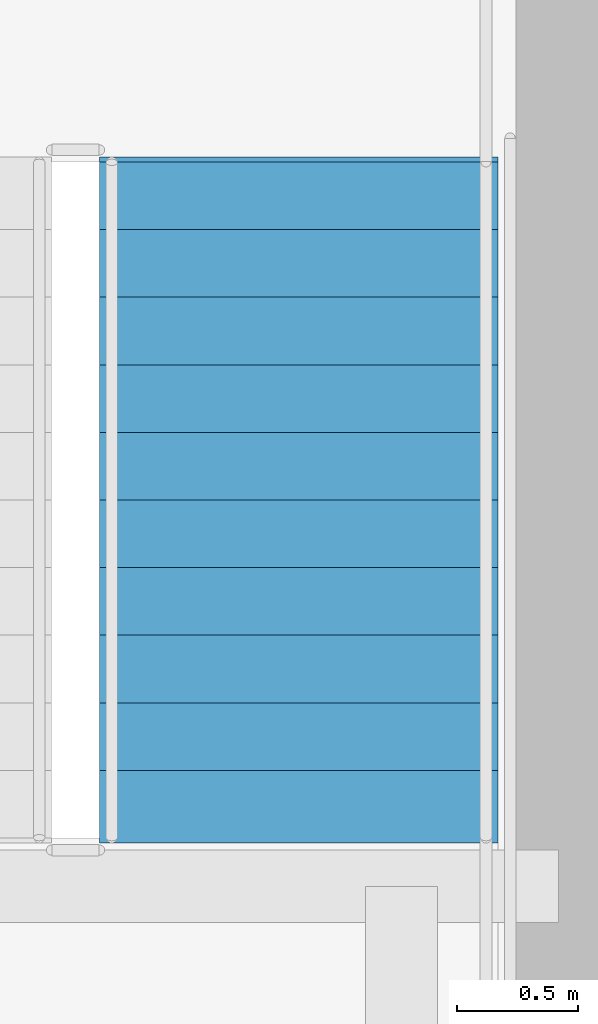
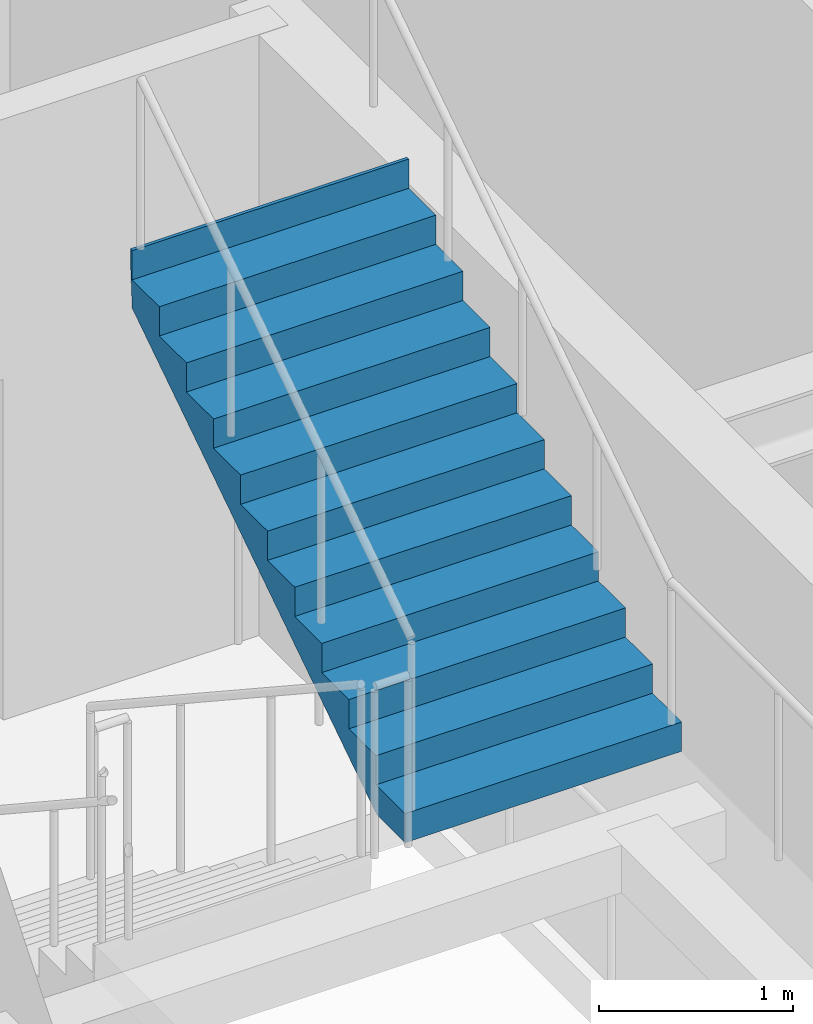
# One storey, part 32 of 37: 1 stair flight, 1 element without a shape of its own.
"""IFC4 building model written with IfcOpenShell, lengths in metres."""

import ifcopenshell
import ifcopenshell.guid

model = None  # the IFC model being written
_history = None  # IfcOwnerHistory: only IFC2X3 demands one
_inside = {}  # id of a spatial element -> (the spatial element, [elements in it])
_under = {}  # id of a project, library or spatial element -> (it, [spatial elements below it])
_declared = {}  # id of a project -> (the project, [libraries it declares])
_typed = {}  # id of a type object -> (the type object, [elements of that type])
_made_of = {}  # id of a material, layer set ... -> (it, [elements and type objects made of it])


def new_model(schema):
    """Start an empty IFC model of exactly this schema.

    Asked for "IFC4X3", IfcOpenShell would pick the latest addendum, in which some entities
    have other attributes; the version numbers below select the first issue.
    IFC2X3 requires an IfcOwnerHistory on every rooted entity: one is made here for all.
    """
    global model, _history
    if schema == "IFC4X3":
        model = ifcopenshell.file(schema_version=(4, 3, 0, 0))
    else:
        model = ifcopenshell.file(schema=schema)
    _inside.clear()
    _under.clear()
    _declared.clear()
    _typed.clear()
    _made_of.clear()
    _history = None
    if model.schema == "IFC2X3":
        org = make("IfcOrganization", Name="unknown")
        user = make(
            "IfcPersonAndOrganization",
            ThePerson=make("IfcPerson", FamilyName="unknown"),
            TheOrganization=org,
        )
        app = make(
            "IfcApplication",
            ApplicationDeveloper=org,
            Version="unknown",
            ApplicationFullName="unknown",
            ApplicationIdentifier="unknown",
        )
        _history = make(
            "IfcOwnerHistory",
            OwningUser=user,
            OwningApplication=app,
            ChangeAction="ADDED",
            CreationDate=0,
        )
    return model


def make(cls, **values):
    """One entity of the class cls with the attributes given. An attribute that is None is left unset."""
    return model.create_entity(
        cls, **{name: value for name, value in values.items() if value is not None}
    )


def rooted(cls, **values):
    """An entity with a GlobalId (a new one), such as an element, a storey or a relation."""
    return make(cls, GlobalId=ifcopenshell.guid.new(), OwnerHistory=_history, **values)


def si_unit(unit_type, name, prefix=None):
    """IfcSIUnit, for example si_unit("LENGTHUNIT", "METRE", prefix="MILLI")."""
    return make("IfcSIUnit", UnitType=unit_type, Prefix=prefix, Name=name)


def assignment(units):
    """IfcUnitAssignment: the units of a project."""
    return None if units is None else make("IfcUnitAssignment", Units=units)


def point(xyz):
    """IfcCartesianPoint."""
    return None if xyz is None else make("IfcCartesianPoint", Coordinates=xyz)


def direction(xyz):
    """IfcDirection."""
    return None if xyz is None else make("IfcDirection", DirectionRatios=xyz)


def frame(location, z_axis=None, x_axis=None):
    """IfcAxis2Placement3D, a coordinate frame: its origin and axes. An axis left out is left unset."""
    return make(
        "IfcAxis2Placement3D",
        Location=point(location),
        Axis=direction(z_axis),
        RefDirection=direction(x_axis),
    )


def origin():
    """The frame at (0, 0, 0) with its axes left unset."""
    return frame((0.0, 0.0, 0.0))


def place(relative_to, where):
    """IfcLocalPlacement: puts the frame where relative to a parent placement (None: the world)."""
    return make(
        "IfcLocalPlacement", PlacementRelTo=relative_to, RelativePlacement=where
    )


def context(
    kind, dimensions, precision=None, world=None, true_north=None, identifier=None
):
    """IfcGeometricRepresentationContext, for example the 3D "Model" context."""
    return make(
        "IfcGeometricRepresentationContext",
        ContextIdentifier=identifier,
        ContextType=kind,
        CoordinateSpaceDimension=dimensions,
        Precision=precision,
        WorldCoordinateSystem=world,
        TrueNorth=true_north,
    )


def subcontext(parent, identifier, kind, view, scale=None):
    """IfcGeometricRepresentationSubContext, for example "Body" below "Model"."""
    return make(
        "IfcGeometricRepresentationSubContext",
        ContextIdentifier=identifier,
        ContextType=kind,
        ParentContext=parent,
        TargetScale=scale,
        TargetView=view,
    )


def project(units=None, contexts=None):
    """IfcProject with its units and contexts."""
    return rooted(
        "IfcProject",
        Name="project",
        RepresentationContexts=contexts,
        UnitsInContext=assignment(units),
    )


def spatial(cls, under=None, at=None, **own):
    """A site, building, storey or space (cls), placed at a placement, below another one or the project."""
    s = rooted(cls, ObjectPlacement=at, **own)
    if under is not None:
        _under.setdefault(under.id(), (under, []))[1].append(s)
    return s


def point_list(points):
    """IfcCartesianPointList2D or 3D."""
    cls = (
        "IfcCartesianPointList2D" if len(points[0]) == 2 else "IfcCartesianPointList3D"
    )
    return make(cls, CoordList=points)


def polygons(points, faces, closed=None, point_numbers=None):
    """IfcPolygonalFaceSet: a face is its outer loop, then its inner loops; points numbered from 1."""
    made = []
    for loops in faces:
        if len(loops) == 1:
            made.append(make("IfcIndexedPolygonalFace", CoordIndex=loops[0]))
        else:
            made.append(
                make(
                    "IfcIndexedPolygonalFaceWithVoids",
                    CoordIndex=loops[0],
                    InnerCoordIndices=loops[1:],
                )
            )
    return make(
        "IfcPolygonalFaceSet",
        Coordinates=point_list(points),
        Closed=closed,
        Faces=made,
        PnIndex=point_numbers,
    )


def shape(context_of_items, identifier, shape_type, items):
    """IfcShapeRepresentation: the items that make up one representation, for example the "Body"."""
    return make(
        "IfcShapeRepresentation",
        ContextOfItems=context_of_items,
        RepresentationIdentifier=identifier,
        RepresentationType=shape_type,
        Items=items,
    )


def material(Name=None, Category=None):
    """IfcMaterial."""
    return make("IfcMaterial", Name=Name, Category=Category)


def made_of(thing, what):
    """Note that an element or type object is made of a material, layer set ...; save() writes the relation."""
    if what is not None:
        _made_of.setdefault(what.id(), (what, []))[1].append(thing)
    return thing


def type_object(cls, material=None, **own):
    """A type object (cls), such as IfcWallType, which elements share."""
    return made_of(rooted(cls, **own), material)


def element(
    cls,
    number,
    at=None,
    inside=None,
    cuts=None,
    type_object=None,
    material=None,
    context=None,
    identifier="Body",
    shape_type=None,
    held_by="IfcProductDefinitionShape",
    body=None,
    shapes=None,
    **own,
):
    """One element of the class cls, such as IfcWall. Its Tag is "e" and its number.

    at: its placement. inside: the storey or other place that contains it. cuts: it is an
    opening in that element (IfcRelVoidsElement). A single representation is given by context,
    identifier, shape_type and body (its items); several are given by shapes. held_by: the class
    of the entity that holds the representations. save() writes the other relations.
    """
    e = rooted(cls, Tag="e%d" % number, ObjectPlacement=at, **own)
    if body is not None:
        shapes = [shape(context, identifier, shape_type, body)]
    if shapes is not None:
        e.Representation = make(held_by, Representations=shapes)
    if inside is not None:
        _inside.setdefault(inside.id(), (inside, []))[1].append(e)
    if cuts is not None:
        rooted(
            "IfcRelVoidsElement", RelatingBuildingElement=cuts, RelatedOpeningElement=e
        )
    if type_object is not None:
        _typed.setdefault(type_object.id(), (type_object, []))[1].append(e)
    return made_of(e, material)


def aggregate(whole, parts):
    """IfcRelAggregates: a whole, such as a stair, and the parts it consists of."""
    return rooted("IfcRelAggregates", RelatingObject=whole, RelatedObjects=parts)


def save(model, path):
    """Write the relations noted so far, then the file.

    IfcRelAggregates (storeys below a building ...), IfcRelContainedInSpatialStructure (elements
    in a storey), IfcRelDefinesByType, IfcRelAssociatesMaterial and IfcRelDeclares: one each for
    every whole, place, type object, material and project.
    """
    for whole, parts in _under.values():
        aggregate(whole, parts)
    for where, things in _inside.values():
        rooted(
            "IfcRelContainedInSpatialStructure",
            RelatedElements=things,
            RelatingStructure=where,
        )
    for kind, things in _typed.values():
        rooted("IfcRelDefinesByType", RelatedObjects=things, RelatingType=kind)
    for what, things in _made_of.values():
        rooted("IfcRelAssociatesMaterial", RelatedObjects=things, RelatingMaterial=what)
    for by, libraries in _declared.values():
        rooted("IfcRelDeclares", RelatingContext=by, RelatedDefinitions=libraries)
    model.write(path)


model = new_model("IFC4")

# Units and contexts
model_context = context("Model", 3, precision=1e-05, world=origin(), true_north=direction((0.0, 1.0)))
body_context = subcontext(model_context, "Body", "Model", "MODEL_VIEW")
ifc_project = project(units=[si_unit("LENGTHUNIT", "METRE"), si_unit("AREAUNIT", "SQUARE_METRE"), si_unit("VOLUMEUNIT", "CUBIC_METRE"), si_unit("PLANEANGLEUNIT", "RADIAN"), si_unit("MASSUNIT", "GRAM", prefix="KILO")], contexts=[model_context])

# Site, building, storey
site_placement = place(None, origin())
site = spatial("IfcSite", under=ifc_project, at=site_placement, CompositionType="ELEMENT")
building_placement = place(site_placement, origin())
building = spatial("IfcBuilding", under=site, at=building_placement, Name="Serunith Strait Residences", CompositionType="ELEMENT")
storey_placement = place(building_placement, frame((0.0, 0.0, 317.75)))
storey = spatial("IfcBuildingStorey", under=building, at=storey_placement, Name="L79", CompositionType="ELEMENT", Elevation=317.75)

# Stair, stair flight
ifc_material = material(Name="Concrete C50/60", Category="concrete")
stair_type = type_object("IfcStairType", Name="STR-CORE-2", PredefinedType="HALF_TURN_STAIR", material=ifc_material)
stair_placement = place(storey_placement, origin())
stair = element("IfcStair", 1, at=stair_placement, inside=storey, type_object=stair_type, Name="L79 Protected Escape Stair ST-2", PredefinedType="HALF_TURN_STAIR")
stair_flight_type = type_object("IfcStairFlightType", Name="FLT-CORE-2", PredefinedType="STRAIGHT", material=ifc_material)
stair_flight_placement = place(storey_placement, frame((40.324951171875, 20.570068359375, 2.02490234375), z_axis=(0.0, 0.0, 1.0), x_axis=(0.0, 1.0, 0.0)))
stair_flight = element("IfcStairFlight", 2, at=stair_flight_placement, type_object=stair_flight_type, Name="ST-2 flight 2", NumberOfRisers=11, NumberOfTreads=10, PredefinedType="STRAIGHT", RiserHeight=0.184090909, TreadLength=0.28, context=body_context, shape_type="Tessellation", body=[
    polygons([(-0.02001953125, -0.824951171875, 0.0), (-0.02001953125, -0.824951171875, 0.18408203125), (0.280029296875, -0.824951171875, 0.18408203125), (0.280029296875, -0.824951171875, 0.3681640625), (0.56005859375, -0.824951171875, 0.3681640625), (0.56005859375, -0.824951171875, 0.55224609375), (0.840087890625, -0.824951171875, 0.55224609375), (0.840087890625, -0.824951171875, 0.736328125), (1.1201171875, -0.824951171875, 0.736328125), (1.1201171875, -0.824951171875, 0.92041015625), (1.39990234375, -0.824951171875, 0.92041015625), (1.39990234375, -0.824951171875, 1.1044921875), (1.679931640625, -0.824951171875, 1.1044921875), (1.679931640625, -0.824951171875, 1.28857421875), (1.9599609375, -0.824951171875, 1.28857421875), (1.9599609375, -0.824951171875, 1.47265625), (2.239990234375, -0.824951171875, 1.47265625), (2.239990234375, -0.824951171875, 1.65673828125), (2.52001953125, -0.824951171875, 1.65673828125), (2.52001953125, -0.824951171875, 1.8408203125), (2.800048828125, -0.824951171875, 1.8408203125), (2.800048828125, -0.824951171875, 2.02490234375), (2.820068359375, -0.824951171875, 2.02490234375), (2.820068359375, -0.824951171875, 1.965087890625), (2.800048828125, -0.824951171875, 1.66162109375), (0.27294921875, -0.824951171875, 0.0), (-0.02001953125, -0.41259765625, 0.0), (-0.02001953125, -0.41259765625, 0.18408203125), (0.280029296875, -0.41259765625, 0.18408203125), (0.280029296875, -0.41259765625, 0.3681640625), (0.56005859375, -0.41259765625, 0.3681640625), (0.56005859375, -0.41259765625, 0.55224609375), (0.840087890625, -0.41259765625, 0.55224609375), (0.840087890625, -0.41259765625, 0.736328125), (1.1201171875, -0.41259765625, 0.736328125), (1.1201171875, -0.41259765625, 0.92041015625), (1.39990234375, -0.41259765625, 0.92041015625), (1.39990234375, -0.41259765625, 1.1044921875), (1.679931640625, -0.41259765625, 1.1044921875), (1.679931640625, -0.41259765625, 1.28857421875), (1.9599609375, -0.41259765625, 1.28857421875), (1.9599609375, -0.41259765625, 1.47265625), (2.239990234375, -0.41259765625, 1.47265625), (2.239990234375, -0.41259765625, 1.65673828125), (2.52001953125, -0.41259765625, 1.65673828125), (2.52001953125, -0.41259765625, 1.8408203125), (2.800048828125, -0.41259765625, 1.8408203125), (2.800048828125, -0.41259765625, 2.02490234375), (2.820068359375, -0.41259765625, 2.02490234375), (2.820068359375, -0.41259765625, 1.965087890625), (2.800048828125, -0.41259765625, 1.66162109375), (0.27294921875, -0.41259765625, 0.0), (-0.02001953125, 0.0, 0.0), (-0.02001953125, 0.0, 0.18408203125), (0.280029296875, 0.0, 0.18408203125), (0.280029296875, 0.0, 0.3681640625), (0.56005859375, 0.0, 0.3681640625), (0.56005859375, 0.0, 0.55224609375), (0.840087890625, 0.0, 0.55224609375), (0.840087890625, 0.0, 0.736328125), (1.1201171875, 0.0, 0.736328125), (1.1201171875, 0.0, 0.92041015625), (1.39990234375, 0.0, 0.92041015625), (1.39990234375, 0.0, 1.1044921875), (1.679931640625, 0.0, 1.1044921875), (1.679931640625, 0.0, 1.28857421875), (1.9599609375, 0.0, 1.28857421875), (1.9599609375, 0.0, 1.47265625), (2.239990234375, 0.0, 1.47265625), (2.239990234375, 0.0, 1.65673828125), (2.52001953125, 0.0, 1.65673828125), (2.52001953125, 0.0, 1.8408203125), (2.800048828125, 0.0, 1.8408203125), (2.800048828125, 0.0, 2.02490234375), (2.820068359375, 0.0, 2.02490234375), (2.820068359375, 0.0, 1.965087890625), (2.800048828125, 0.0, 1.66162109375), (0.27294921875, 0.0, 0.0), (-0.02001953125, 0.41259765625, 0.0), (-0.02001953125, 0.41259765625, 0.18408203125), (0.280029296875, 0.41259765625, 0.18408203125), (0.280029296875, 0.41259765625, 0.3681640625), (0.56005859375, 0.41259765625, 0.3681640625), (0.56005859375, 0.41259765625, 0.55224609375), (0.840087890625, 0.41259765625, 0.55224609375), (0.840087890625, 0.41259765625, 0.736328125), (1.1201171875, 0.41259765625, 0.736328125), (1.1201171875, 0.41259765625, 0.92041015625), (1.39990234375, 0.41259765625, 0.92041015625), (1.39990234375, 0.41259765625, 1.1044921875), (1.679931640625, 0.41259765625, 1.1044921875), (1.679931640625, 0.41259765625, 1.28857421875), (1.9599609375, 0.41259765625, 1.28857421875), (1.9599609375, 0.41259765625, 1.47265625), (2.239990234375, 0.41259765625, 1.47265625), (2.239990234375, 0.41259765625, 1.65673828125), (2.52001953125, 0.41259765625, 1.65673828125), (2.52001953125, 0.41259765625, 1.8408203125), (2.800048828125, 0.41259765625, 1.8408203125), (2.800048828125, 0.41259765625, 2.02490234375), (2.820068359375, 0.41259765625, 2.02490234375), (2.820068359375, 0.41259765625, 1.965087890625), (2.800048828125, 0.41259765625, 1.66162109375), (0.27294921875, 0.41259765625, 0.0), (-0.02001953125, 0.824951171875, 0.0), (-0.02001953125, 0.824951171875, 0.18408203125), (0.280029296875, 0.824951171875, 0.18408203125), (0.280029296875, 0.824951171875, 0.3681640625), (0.56005859375, 0.824951171875, 0.3681640625), (0.56005859375, 0.824951171875, 0.55224609375), (0.840087890625, 0.824951171875, 0.55224609375), (0.840087890625, 0.824951171875, 0.736328125), (1.1201171875, 0.824951171875, 0.736328125), (1.1201171875, 0.824951171875, 0.92041015625), (1.39990234375, 0.824951171875, 0.92041015625), (1.39990234375, 0.824951171875, 1.1044921875), (1.679931640625, 0.824951171875, 1.1044921875), (1.679931640625, 0.824951171875, 1.28857421875), (1.9599609375, 0.824951171875, 1.28857421875), (1.9599609375, 0.824951171875, 1.47265625), (2.239990234375, 0.824951171875, 1.47265625), (2.239990234375, 0.824951171875, 1.65673828125), (2.52001953125, 0.824951171875, 1.65673828125), (2.52001953125, 0.824951171875, 1.8408203125), (2.800048828125, 0.824951171875, 1.8408203125), (2.800048828125, 0.824951171875, 2.02490234375), (2.820068359375, 0.824951171875, 2.02490234375), (2.820068359375, 0.824951171875, 1.965087890625), (2.800048828125, 0.824951171875, 1.66162109375), (0.27294921875, 0.824951171875, 0.0)], [[[1, 2, 28, 27]], [[2, 3, 29, 28]], [[3, 4, 30, 29]], [[4, 5, 31, 30]], [[5, 6, 32, 31]], [[6, 7, 33, 32]], [[7, 8, 34, 33]], [[8, 9, 35, 34]], [[9, 10, 36, 35]], [[10, 11, 37, 36]], [[11, 12, 38, 37]], [[12, 13, 39, 38]], [[13, 14, 40, 39]], [[14, 15, 41, 40]], [[15, 16, 42, 41]], [[16, 17, 43, 42]], [[17, 18, 44, 43]], [[18, 19, 45, 44]], [[19, 20, 46, 45]], [[20, 21, 47, 46]], [[21, 22, 48, 47]], [[22, 23, 49, 48]], [[23, 24, 50, 49]], [[24, 25, 51, 50]], [[25, 26, 52, 51]], [[26, 1, 27, 52]], [[27, 28, 54, 53]], [[28, 29, 55, 54]], [[29, 30, 56, 55]], [[30, 31, 57, 56]], [[31, 32, 58, 57]], [[32, 33, 59, 58]], [[33, 34, 60, 59]], [[34, 35, 61, 60]], [[35, 36, 62, 61]], [[36, 37, 63, 62]], [[37, 38, 64, 63]], [[38, 39, 65, 64]], [[39, 40, 66, 65]], [[40, 41, 67, 66]], [[41, 42, 68, 67]], [[42, 43, 69, 68]], [[43, 44, 70, 69]], [[44, 45, 71, 70]], [[45, 46, 72, 71]], [[46, 47, 73, 72]], [[47, 48, 74, 73]], [[48, 49, 75, 74]], [[49, 50, 76, 75]], [[50, 51, 77, 76]], [[51, 52, 78, 77]], [[52, 27, 53, 78]], [[53, 54, 80, 79]], [[54, 55, 81, 80]], [[55, 56, 82, 81]], [[56, 57, 83, 82]], [[57, 58, 84, 83]], [[58, 59, 85, 84]], [[59, 60, 86, 85]], [[60, 61, 87, 86]], [[61, 62, 88, 87]], [[62, 63, 89, 88]], [[63, 64, 90, 89]], [[64, 65, 91, 90]], [[65, 66, 92, 91]], [[66, 67, 93, 92]], [[67, 68, 94, 93]], [[68, 69, 95, 94]], [[69, 70, 96, 95]], [[70, 71, 97, 96]], [[71, 72, 98, 97]], [[72, 73, 99, 98]], [[73, 74, 100, 99]], [[74, 75, 101, 100]], [[75, 76, 102, 101]], [[76, 77, 103, 102]], [[77, 78, 104, 103]], [[78, 53, 79, 104]], [[79, 80, 106, 105]], [[80, 81, 107, 106]], [[81, 82, 108, 107]], [[82, 83, 109, 108]], [[83, 84, 110, 109]], [[84, 85, 111, 110]], [[85, 86, 112, 111]], [[86, 87, 113, 112]], [[87, 88, 114, 113]], [[88, 89, 115, 114]], [[89, 90, 116, 115]], [[90, 91, 117, 116]], [[91, 92, 118, 117]], [[92, 93, 119, 118]], [[93, 94, 120, 119]], [[94, 95, 121, 120]], [[95, 96, 122, 121]], [[96, 97, 123, 122]], [[97, 98, 124, 123]], [[98, 99, 125, 124]], [[99, 100, 126, 125]], [[100, 101, 127, 126]], [[101, 102, 128, 127]], [[102, 103, 129, 128]], [[103, 104, 130, 129]], [[104, 79, 105, 130]], [[26, 25, 24, 23, 22, 21, 20, 19, 18, 17, 16, 15, 14, 13, 12, 11, 10, 9, 8, 7, 6, 5, 4, 3, 2, 1]], [[105, 106, 107, 108, 109, 110, 111, 112, 113, 114, 115, 116, 117, 118, 119, 120, 121, 122, 123, 124, 125, 126, 127, 128, 129, 130]]], closed=True),
])
aggregate(stair, [stair_flight])

save(model, "model.ifc")
